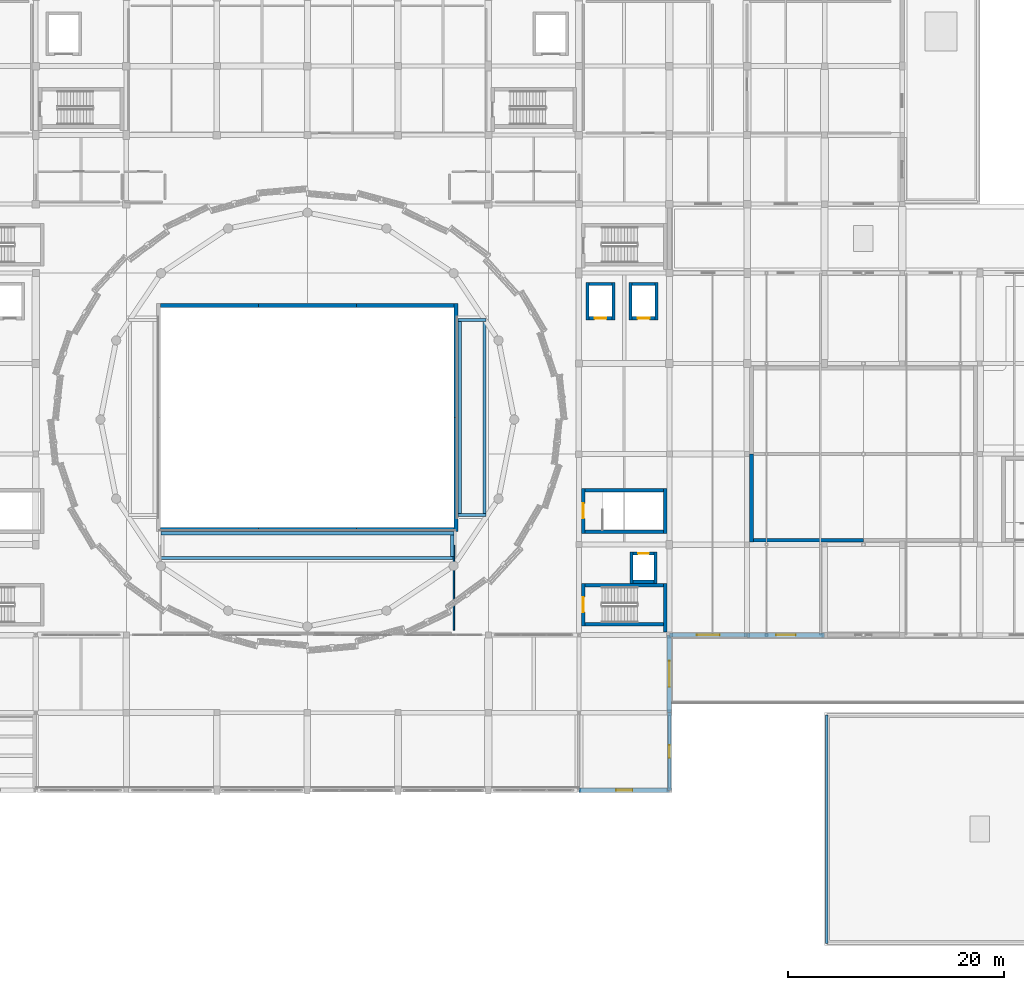
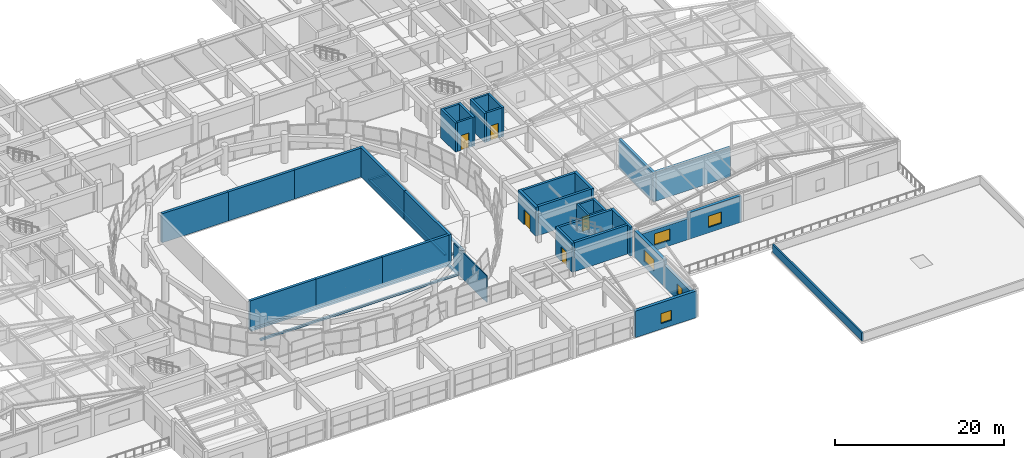
# One storey, part 56 of 74: 44 walls, 5 doors, 5 windows, 10 openings.
"""IFC4 building model written with IfcOpenShell, lengths in metres."""

import ifcopenshell
import ifcopenshell.guid

model = None  # the IFC model being written
_history = None  # IfcOwnerHistory: only IFC2X3 demands one
_inside = {}  # id of a spatial element -> (the spatial element, [elements in it])
_under = {}  # id of a project, library or spatial element -> (it, [spatial elements below it])
_declared = {}  # id of a project -> (the project, [libraries it declares])
_typed = {}  # id of a type object -> (the type object, [elements of that type])
_made_of = {}  # id of a material, layer set ... -> (it, [elements and type objects made of it])


def new_model(schema):
    """Start an empty IFC model of exactly this schema.

    Asked for "IFC4X3", IfcOpenShell would pick the latest addendum, in which some entities
    have other attributes; the version numbers below select the first issue.
    IFC2X3 requires an IfcOwnerHistory on every rooted entity: one is made here for all.
    """
    global model, _history
    if schema == "IFC4X3":
        model = ifcopenshell.file(schema_version=(4, 3, 0, 0))
    else:
        model = ifcopenshell.file(schema=schema)
    _inside.clear()
    _under.clear()
    _declared.clear()
    _typed.clear()
    _made_of.clear()
    _history = None
    if model.schema == "IFC2X3":
        org = make("IfcOrganization", Name="unknown")
        user = make(
            "IfcPersonAndOrganization",
            ThePerson=make("IfcPerson", FamilyName="unknown"),
            TheOrganization=org,
        )
        app = make(
            "IfcApplication",
            ApplicationDeveloper=org,
            Version="unknown",
            ApplicationFullName="unknown",
            ApplicationIdentifier="unknown",
        )
        _history = make(
            "IfcOwnerHistory",
            OwningUser=user,
            OwningApplication=app,
            ChangeAction="ADDED",
            CreationDate=0,
        )
    return model


def make(cls, **values):
    """One entity of the class cls with the attributes given. An attribute that is None is left unset."""
    return model.create_entity(
        cls, **{name: value for name, value in values.items() if value is not None}
    )


def rooted(cls, **values):
    """An entity with a GlobalId (a new one), such as an element, a storey or a relation."""
    return make(cls, GlobalId=ifcopenshell.guid.new(), OwnerHistory=_history, **values)


def si_unit(unit_type, name, prefix=None):
    """IfcSIUnit, for example si_unit("LENGTHUNIT", "METRE", prefix="MILLI")."""
    return make("IfcSIUnit", UnitType=unit_type, Prefix=prefix, Name=name)


def assignment(units):
    """IfcUnitAssignment: the units of a project."""
    return None if units is None else make("IfcUnitAssignment", Units=units)


def point(xyz):
    """IfcCartesianPoint."""
    return None if xyz is None else make("IfcCartesianPoint", Coordinates=xyz)


def direction(xyz):
    """IfcDirection."""
    return None if xyz is None else make("IfcDirection", DirectionRatios=xyz)


def frame(location, z_axis=None, x_axis=None):
    """IfcAxis2Placement3D, a coordinate frame: its origin and axes. An axis left out is left unset."""
    return make(
        "IfcAxis2Placement3D",
        Location=point(location),
        Axis=direction(z_axis),
        RefDirection=direction(x_axis),
    )


def frame_2d(location, x_axis=None):
    """IfcAxis2Placement2D, a coordinate frame in the plane: its origin and x axis."""
    return make(
        "IfcAxis2Placement2D", Location=point(location), RefDirection=direction(x_axis)
    )


def origin():
    """The frame at (0, 0, 0) with its axes left unset."""
    return frame((0.0, 0.0, 0.0))


def place(relative_to, where):
    """IfcLocalPlacement: puts the frame where relative to a parent placement (None: the world)."""
    return make(
        "IfcLocalPlacement", PlacementRelTo=relative_to, RelativePlacement=where
    )


def context(
    kind, dimensions, precision=None, world=None, true_north=None, identifier=None
):
    """IfcGeometricRepresentationContext, for example the 3D "Model" context."""
    return make(
        "IfcGeometricRepresentationContext",
        ContextIdentifier=identifier,
        ContextType=kind,
        CoordinateSpaceDimension=dimensions,
        Precision=precision,
        WorldCoordinateSystem=world,
        TrueNorth=true_north,
    )


def subcontext(parent, identifier, kind, view, scale=None):
    """IfcGeometricRepresentationSubContext, for example "Body" below "Model"."""
    return make(
        "IfcGeometricRepresentationSubContext",
        ContextIdentifier=identifier,
        ContextType=kind,
        ParentContext=parent,
        TargetScale=scale,
        TargetView=view,
    )


def project(units=None, contexts=None):
    """IfcProject with its units and contexts."""
    return rooted(
        "IfcProject",
        Name="project",
        RepresentationContexts=contexts,
        UnitsInContext=assignment(units),
    )


def spatial(cls, under=None, at=None, **own):
    """A site, building, storey or space (cls), placed at a placement, below another one or the project."""
    s = rooted(cls, ObjectPlacement=at, **own)
    if under is not None:
        _under.setdefault(under.id(), (under, []))[1].append(s)
    return s


def profile(cls, at=None, kind="AREA", **sizes):
    """A parametric profile (cls). Its sizes go by their IFC names, for example OverallWidth=200.0."""
    return make(cls, ProfileType=kind, Position=at, **sizes)


def rectangle(**sizes):
    """IfcRectangleProfileDef."""
    return profile("IfcRectangleProfileDef", **sizes)


def extrude(swept, where, along, depth):
    """IfcExtrudedAreaSolid: the profile swept, set in the frame where, extruded along a direction by depth."""
    return make(
        "IfcExtrudedAreaSolid",
        SweptArea=swept,
        Position=where,
        ExtrudedDirection=direction(along),
        Depth=depth,
    )


def shape(context_of_items, identifier, shape_type, items):
    """IfcShapeRepresentation: the items that make up one representation, for example the "Body"."""
    return make(
        "IfcShapeRepresentation",
        ContextOfItems=context_of_items,
        RepresentationIdentifier=identifier,
        RepresentationType=shape_type,
        Items=items,
    )


def material(Name=None, Category=None):
    """IfcMaterial."""
    return make("IfcMaterial", Name=Name, Category=Category)


def layer(
    of_material, thickness, ventilated=None, Name=None, Category=None, Priority=None
):
    """IfcMaterialLayer: one layer of a wall or slab, of a material (None: an air gap)."""
    return make(
        "IfcMaterialLayer",
        Material=of_material,
        LayerThickness=thickness,
        IsVentilated=ventilated,
        Name=Name,
        Category=Category,
        Priority=Priority,
    )


def layer_set(layers, Name=None):
    """IfcMaterialLayerSet."""
    return make("IfcMaterialLayerSet", MaterialLayers=layers, LayerSetName=Name)


def made_of(thing, what):
    """Note that an element or type object is made of a material, layer set ...; save() writes the relation."""
    if what is not None:
        _made_of.setdefault(what.id(), (what, []))[1].append(thing)
    return thing


def type_object(cls, material=None, **own):
    """A type object (cls), such as IfcWallType, which elements share."""
    return made_of(rooted(cls, **own), material)


def element(
    cls,
    number,
    at=None,
    inside=None,
    cuts=None,
    type_object=None,
    material=None,
    context=None,
    identifier="Body",
    shape_type=None,
    held_by="IfcProductDefinitionShape",
    body=None,
    shapes=None,
    **own,
):
    """One element of the class cls, such as IfcWall. Its Tag is "e" and its number.

    at: its placement. inside: the storey or other place that contains it. cuts: it is an
    opening in that element (IfcRelVoidsElement). A single representation is given by context,
    identifier, shape_type and body (its items); several are given by shapes. held_by: the class
    of the entity that holds the representations. save() writes the other relations.
    """
    e = rooted(cls, Tag="e%d" % number, ObjectPlacement=at, **own)
    if body is not None:
        shapes = [shape(context, identifier, shape_type, body)]
    if shapes is not None:
        e.Representation = make(held_by, Representations=shapes)
    if inside is not None:
        _inside.setdefault(inside.id(), (inside, []))[1].append(e)
    if cuts is not None:
        rooted(
            "IfcRelVoidsElement", RelatingBuildingElement=cuts, RelatedOpeningElement=e
        )
    if type_object is not None:
        _typed.setdefault(type_object.id(), (type_object, []))[1].append(e)
    return made_of(e, material)


def fill(opening, filler):
    """IfcRelFillsElement: the door or window that sits in an opening."""
    return rooted(
        "IfcRelFillsElement",
        RelatingOpeningElement=opening,
        RelatedBuildingElement=filler,
    )


def aggregate(whole, parts):
    """IfcRelAggregates: a whole, such as a stair, and the parts it consists of."""
    return rooted("IfcRelAggregates", RelatingObject=whole, RelatedObjects=parts)


def save(model, path):
    """Write the relations noted so far, then the file.

    IfcRelAggregates (storeys below a building ...), IfcRelContainedInSpatialStructure (elements
    in a storey), IfcRelDefinesByType, IfcRelAssociatesMaterial and IfcRelDeclares: one each for
    every whole, place, type object, material and project.
    """
    for whole, parts in _under.values():
        aggregate(whole, parts)
    for where, things in _inside.values():
        rooted(
            "IfcRelContainedInSpatialStructure",
            RelatedElements=things,
            RelatingStructure=where,
        )
    for kind, things in _typed.values():
        rooted("IfcRelDefinesByType", RelatedObjects=things, RelatingType=kind)
    for what, things in _made_of.values():
        rooted("IfcRelAssociatesMaterial", RelatedObjects=things, RelatingMaterial=what)
    for by, libraries in _declared.values():
        rooted("IfcRelDeclares", RelatingContext=by, RelatedDefinitions=libraries)
    model.write(path)


model = new_model("IFC4")

# Units and contexts
model_context = context("Model", 3, precision=1e-05, world=origin(), true_north=direction((0.0, 1.0)))
body_context = subcontext(model_context, "Body", "Model", "MODEL_VIEW")
ifc_project = project(units=[si_unit("LENGTHUNIT", "METRE"), si_unit("AREAUNIT", "SQUARE_METRE"), si_unit("VOLUMEUNIT", "CUBIC_METRE"), si_unit("PLANEANGLEUNIT", "RADIAN"), si_unit("MASSUNIT", "GRAM", prefix="KILO")], contexts=[model_context])

# Site, building, storey
site_placement = place(None, origin())
site = spatial("IfcSite", under=ifc_project, at=site_placement, CompositionType="ELEMENT")
building_placement = place(site_placement, origin())
building = spatial("IfcBuilding", under=site, at=building_placement, Name="Korsvaeld Concert Hall", CompositionType="ELEMENT")
storey_placement = place(building_placement, frame((0.0, 0.0, 9.0)))
storey = spatial("IfcBuildingStorey", under=building, at=storey_placement, Name="L02", CompositionType="ELEMENT", Elevation=9.0)

# Walls
ifc_material_1 = material(Name="Concrete C40/50", Category="concrete")
ifc_layer_1 = layer(ifc_material_1, 0.340087890625)
ifc_layer_set_1 = layer_set([ifc_layer_1], Name="Concrete C40/50")
wall_type_1 = type_object("IfcWallType", Name="WL-CORE-340", PredefinedType="SHEAR", material=ifc_layer_set_1)
wall_1_placement = place(storey_placement, frame((109.77001953125, 44.199951171875, 0.0), z_axis=(0.0, 0.0, 1.0), x_axis=(1.0, 0.0, 0.0)))
element("IfcWall", 1, at=wall_1_placement, inside=storey, type_object=wall_type_1, Name="Core K4 shear wall L02 S", PredefinedType="SHEAR", context=body_context, shape_type="SweptSolid", body=[
    extrude(rectangle(XDim=7.260009765625, YDim=0.340087890625, at=frame_2d((3.6298828125, 0.0))), origin(), (0.0, 0.0, 1.0), 4.199951171875),
])
wall_2_placement = place(storey_placement, frame((117.199951171875, 43.47509765625, 0.0), z_axis=(0.0, 0.0, 1.0), x_axis=(0.0, 1.0, 0.0)))
element("IfcWall", 2, at=wall_2_placement, inside=storey, type_object=wall_type_1, Name="Core K4 shear wall L02 E", PredefinedType="SHEAR", context=body_context, shape_type="SweptSolid", body=[
    extrude(rectangle(XDim=4.534912109375, YDim=0.340087890625, at=frame_2d((2.267578125, 0.0))), origin(), (0.0, 0.0, 1.0), 4.199951171875),
])
wall_3_placement = place(storey_placement, frame((117.030029296875, 47.840087890625, 0.0), z_axis=(0.0, 0.0, 1.0), x_axis=(-1.0, 0.0, 0.0)))
element("IfcWall", 3, at=wall_3_placement, inside=storey, type_object=wall_type_1, Name="Core K4 shear wall L02 N", PredefinedType="SHEAR", context=body_context, shape_type="SweptSolid", body=[
    extrude(rectangle(XDim=7.260009765625, YDim=0.340087890625, at=frame_2d((3.6298828125, 0.0))), origin(), (0.0, 0.0, 1.0), 4.199951171875),
])

# Wall, opening, door
wall_4_placement = place(storey_placement, frame((109.60009765625, 48.010009765625, 0.0), z_axis=(0.0, 0.0, 1.0), x_axis=(0.0, -1.0, 0.0)))
wall_4 = element("IfcWall", 4, at=wall_4_placement, inside=storey, type_object=wall_type_1, Name="Core K4 shear wall L02 W", PredefinedType="SHEAR", context=body_context, shape_type="SweptSolid", body=[
    extrude(rectangle(XDim=3.97998046875, YDim=0.340087890625, at=frame_2d((1.989990234375, 0.0))), origin(), (0.0, 0.0, 1.0), 4.199951171875),
])
opening_1_placement = place(wall_4_placement, frame((1.2900390625, 0.0, 0.0)))
opening_1 = element("IfcOpeningElement", 5, at=opening_1_placement, cuts=wall_4, Name="Opening FD-02", PredefinedType="OPENING", context=body_context, shape_type="SweptSolid", body=[
    extrude(rectangle(XDim=1.39990234375, YDim=2.14990234375, at=frame_2d((0.699951171875, 1.074951171875))), frame((0.0, 0.18017578125, 0.0), z_axis=(0.0, -1.0, 0.0), x_axis=(1.0, 0.0, 0.0)), (0.0, 0.0, 1.0), 0.360107421875),
])
ifc_material_2 = material(Name="Acoustic steel and oak fire door", Category="steel")
door_type_1 = type_object("IfcDoorType", Name="DR-FD-STAIR-140x215", OperationType="NOTDEFINED", PredefinedType="DOOR", material=ifc_material_2)
door_1_placement = place(opening_1_placement, origin())
door_1 = element("IfcDoor", 6, at=door_1_placement, inside=storey, type_object=door_type_1, Name="Escape stair ST-K4 fire door L02", OperationType="SINGLE_SWING_LEFT", OverallHeight=2.14990234375, OverallWidth=1.39990234375, PredefinedType="DOOR", context=body_context, shape_type="SweptSolid", body=[
    extrude(rectangle(XDim=1.39990234375, YDim=2.14990234375, at=frame_2d((0.699951171875, 1.074951171875))), frame((0.0, 0.02490234375, 0.0), z_axis=(0.0, -1.0, 0.0), x_axis=(1.0, 0.0, 0.0)), (0.0, 0.0, 1.0), 0.050048828125),
])
fill(opening_1, door_1)

# Walls
wall_5_placement = place(storey_placement, frame((109.77001953125, 52.800048828125, 0.0), z_axis=(0.0, 0.0, 1.0), x_axis=(1.0, 0.0, 0.0)))
element("IfcWall", 7, at=wall_5_placement, inside=storey, type_object=wall_type_1, Name="Core F2 shear wall L02 S", PredefinedType="SHEAR", context=body_context, shape_type="SweptSolid", body=[
    extrude(rectangle(XDim=7.260009765625, YDim=0.340087890625, at=frame_2d((3.6298828125, 0.0))), origin(), (0.0, 0.0, 1.0), 4.199951171875),
])
wall_6_placement = place(storey_placement, frame((117.199951171875, 52.6298828125, 0.0), z_axis=(0.0, 0.0, 1.0), x_axis=(0.0, 1.0, 0.0)))
element("IfcWall", 8, at=wall_6_placement, inside=storey, type_object=wall_type_1, Name="Core F2 shear wall L02 E", PredefinedType="SHEAR", context=body_context, shape_type="SweptSolid", body=[
    extrude(rectangle(XDim=4.18017578125, YDim=0.340087890625, at=frame_2d((2.090087890625, 0.0))), origin(), (0.0, 0.0, 1.0), 4.199951171875),
])
wall_7_placement = place(storey_placement, frame((117.030029296875, 56.639892578125, 0.0), z_axis=(0.0, 0.0, 1.0), x_axis=(-1.0, 0.0, 0.0)))
element("IfcWall", 9, at=wall_7_placement, inside=storey, type_object=wall_type_1, Name="Core F2 shear wall L02 N", PredefinedType="SHEAR", context=body_context, shape_type="SweptSolid", body=[
    extrude(rectangle(XDim=7.260009765625, YDim=0.340087890625, at=frame_2d((3.6298828125, 0.0))), origin(), (0.0, 0.0, 1.0), 4.199951171875),
])

# Wall, opening, door
wall_8_placement = place(storey_placement, frame((109.60009765625, 56.81005859375, 0.0), z_axis=(0.0, 0.0, 1.0), x_axis=(0.0, -1.0, 0.0)))
wall_8 = element("IfcWall", 10, at=wall_8_placement, inside=storey, type_object=wall_type_1, Name="Core F2 shear wall L02 W", PredefinedType="SHEAR", context=body_context, shape_type="SweptSolid", body=[
    extrude(rectangle(XDim=4.18017578125, YDim=0.340087890625, at=frame_2d((2.090087890625, 0.0))), origin(), (0.0, 0.0, 1.0), 4.199951171875),
])
opening_2_placement = place(wall_8_placement, frame((1.389892578125, 0.0, 0.0)))
opening_2 = element("IfcOpeningElement", 11, at=opening_2_placement, cuts=wall_8, Name="Opening FD-02", PredefinedType="OPENING", context=body_context, shape_type="SweptSolid", body=[
    extrude(rectangle(XDim=1.39990234375, YDim=2.14990234375, at=frame_2d((0.699951171875, 1.074951171875))), frame((0.0, 0.18017578125, 0.0), z_axis=(0.0, -1.0, 0.0), x_axis=(1.0, 0.0, 0.0)), (0.0, 0.0, 1.0), 0.360107421875),
])
door_2_placement = place(opening_2_placement, origin())
door_2 = element("IfcDoor", 12, at=door_2_placement, inside=storey, type_object=door_type_1, Name="Escape stair ST-F2 fire door L02", OperationType="SINGLE_SWING_RIGHT", OverallHeight=2.14990234375, OverallWidth=1.39990234375, PredefinedType="DOOR", context=body_context, shape_type="SweptSolid", body=[
    extrude(rectangle(XDim=1.39990234375, YDim=2.14990234375, at=frame_2d((0.699951171875, 1.074951171875))), frame((0.0, 0.02490234375, 0.0), z_axis=(0.0, -1.0, 0.0), x_axis=(1.0, 0.0, 0.0)), (0.0, 0.0, 1.0), 0.050048828125),
])
fill(opening_2, door_2)

# Wall, opening, window
ifc_material_3 = material(Name="Obernkirchener buff sandstone rainscreen on Concrete C35/45", Category="masonry")
ifc_layer_2 = layer(ifc_material_3, 0.389892578125)
ifc_layer_set_2 = layer_set([ifc_layer_2], Name="Obernkirchener buff sandstone rainscreen on Concrete C35/45")
wall_type_2 = type_object("IfcWallType", Name="WL-EXT-BUFF-390", PredefinedType="STANDARD", material=ifc_layer_set_2)
wall_9_placement = place(storey_placement, frame((124.800048828125, 43.199951171875, 0.0), z_axis=(0.0, 0.0, 1.0), x_axis=(-1.0, 0.0, 0.0)))
wall_9 = element("IfcWall", 13, at=wall_9_placement, inside=storey, type_object=wall_type_2, Name="Exterior sandstone wall L02-278", PredefinedType="STANDARD", context=body_context, shape_type="SweptSolid", body=[
    extrude(rectangle(XDim=7.199951171875, YDim=0.389892578125, at=frame_2d((3.60009765625, 0.0))), origin(), (0.0, 0.0, 1.0), 3.0400390625),
])
opening_3_placement = place(wall_9_placement, frame((2.550048828125, 0.0, 0.800048828125)))
opening_3 = element("IfcOpeningElement", 14, at=opening_3_placement, cuts=wall_9, Name="Opening WN-04", PredefinedType="OPENING", context=body_context, shape_type="SweptSolid", body=[
    extrude(rectangle(XDim=2.10009765625, YDim=1.64990234375, at=frame_2d((1.050048828125, 0.824951171875))), frame((0.0, 0.205078125, 0.0), z_axis=(0.0, -1.0, 0.0), x_axis=(1.0, 0.0, 0.0)), (0.0, 0.0, 1.0), 0.409912109375),
])
ifc_material_4 = material(Name="Anodised bronze frame with acoustic triple glazing", Category="glass")
window_type_1 = type_object("IfcWindowType", Name="WIN-AC-210x165", PartitioningType="SINGLE_PANEL", PredefinedType="WINDOW", material=ifc_material_4)
window_1_placement = place(opening_3_placement, origin())
window_1 = element("IfcWindow", 15, at=window_1_placement, inside=storey, type_object=window_type_1, Name="Acoustic triple-glazed window L02-179", OverallHeight=1.64990234375, OverallWidth=2.10009765625, PartitioningType="SINGLE_PANEL", PredefinedType="WINDOW", context=body_context, shape_type="SweptSolid", body=[
    extrude(rectangle(XDim=2.10009765625, YDim=1.64990234375, at=frame_2d((1.050048828125, 0.824951171875))), frame((0.0, 0.030029296875, 0.0), z_axis=(0.0, -1.0, 0.0), x_axis=(1.0, 0.0, 0.0)), (0.0, 0.0, 1.0), 0.06005859375),
])
fill(opening_3, window_1)

wall_10_placement = place(storey_placement, frame((117.60009765625, 36.0, 0.0), z_axis=(0.0, 0.0, 1.0), x_axis=(0.0, -1.0, 0.0)))
wall_10 = element("IfcWall", 16, at=wall_10_placement, inside=storey, type_object=wall_type_2, Name="Exterior sandstone wall L02-280", PredefinedType="STANDARD", context=body_context, shape_type="SweptSolid", body=[
    extrude(rectangle(XDim=7.199951171875, YDim=0.389892578125, at=frame_2d((3.60009765625, 0.0))), origin(), (0.0, 0.0, 1.0), 3.139892578125),
])
opening_4_placement = place(wall_10_placement, frame((3.0, 0.0, 0.800048828125)))
opening_4 = element("IfcOpeningElement", 17, at=opening_4_placement, cuts=wall_10, Name="Opening WN-06", PredefinedType="OPENING", context=body_context, shape_type="SweptSolid", body=[
    extrude(rectangle(XDim=1.199951171875, YDim=1.449951171875, at=frame_2d((0.60009765625, 0.72509765625))), frame((0.0, 0.205078125, 0.0), z_axis=(0.0, -1.0, 0.0), x_axis=(1.0, 0.0, 0.0)), (0.0, 0.0, 1.0), 0.409912109375),
])
window_type_2 = type_object("IfcWindowType", Name="WIN-AC-120x145", PartitioningType="SINGLE_PANEL", PredefinedType="WINDOW", material=ifc_material_4)
window_2_placement = place(opening_4_placement, origin())
window_2 = element("IfcWindow", 18, at=window_2_placement, inside=storey, type_object=window_type_2, Name="Acoustic triple-glazed window L02-181", OverallHeight=1.449951171875, OverallWidth=1.199951171875, PartitioningType="SINGLE_PANEL", PredefinedType="WINDOW", context=body_context, shape_type="SweptSolid", body=[
    extrude(rectangle(XDim=1.199951171875, YDim=1.449951171875, at=frame_2d((0.60009765625, 0.72509765625))), frame((0.0, 0.030029296875, 0.0), z_axis=(0.0, -1.0, 0.0), x_axis=(1.0, 0.0, 0.0)), (0.0, 0.0, 1.0), 0.06005859375),
])
fill(opening_4, window_2)

ifc_material_5 = material(Name="Bornholm Nexo rose-red sandstone rainscreen on Concrete C35/45", Category="masonry")
ifc_layer_3 = layer(ifc_material_5, 0.419921875)
ifc_layer_set_3 = layer_set([ifc_layer_3], Name="Bornholm Nexo rose-red sandstone rainscreen on Concrete C35/45")
wall_type_3 = type_object("IfcWallType", Name="WL-EXT-NEXO-420", PredefinedType="STANDARD", material=ifc_layer_set_3)
wall_11_placement = place(storey_placement, frame((132.0, 43.199951171875, 0.0), z_axis=(0.0, 0.0, 1.0), x_axis=(-1.0, 0.0, 0.0)))
wall_11 = element("IfcWall", 19, at=wall_11_placement, inside=storey, type_object=wall_type_3, Name="Exterior sandstone wall L02-277", PredefinedType="STANDARD", context=body_context, shape_type="SweptSolid", body=[
    extrude(rectangle(XDim=7.199951171875, YDim=0.419921875, at=frame_2d((3.60009765625, 0.0))), origin(), (0.0, 0.0, 1.0), 3.840087890625),
])
opening_5_placement = place(wall_11_placement, frame((2.699951171875, 0.0, 0.800048828125)))
opening_5 = element("IfcOpeningElement", 20, at=opening_5_placement, cuts=wall_11, Name="Opening WN-03", PredefinedType="OPENING", context=body_context, shape_type="SweptSolid", body=[
    extrude(rectangle(XDim=1.800048828125, YDim=1.64990234375, at=frame_2d((0.89990234375, 0.824951171875))), frame((0.0, 0.219970703125, 0.0), z_axis=(0.0, -1.0, 0.0), x_axis=(1.0, 0.0, 0.0)), (0.0, 0.0, 1.0), 0.43994140625),
])
window_type_3 = type_object("IfcWindowType", Name="WIN-AC-180x165", PartitioningType="SINGLE_PANEL", PredefinedType="WINDOW", material=ifc_material_4)
window_3_placement = place(opening_5_placement, origin())
window_3 = element("IfcWindow", 21, at=window_3_placement, inside=storey, type_object=window_type_3, Name="Acoustic triple-glazed window L02-178", OverallHeight=1.64990234375, OverallWidth=1.800048828125, PartitioningType="SINGLE_PANEL", PredefinedType="WINDOW", context=body_context, shape_type="SweptSolid", body=[
    extrude(rectangle(XDim=1.800048828125, YDim=1.64990234375, at=frame_2d((0.89990234375, 0.824951171875))), frame((0.0, 0.030029296875, 0.0), z_axis=(0.0, -1.0, 0.0), x_axis=(1.0, 0.0, 0.0)), (0.0, 0.0, 1.0), 0.06005859375),
])
fill(opening_5, window_3)

wall_12_placement = place(storey_placement, frame((117.60009765625, 43.199951171875, 0.0), z_axis=(0.0, 0.0, 1.0), x_axis=(0.0, -1.0, 0.0)))
wall_12 = element("IfcWall", 22, at=wall_12_placement, inside=storey, type_object=wall_type_3, Name="Exterior sandstone wall L02-279", PredefinedType="STANDARD", context=body_context, shape_type="SweptSolid", body=[
    extrude(rectangle(XDim=7.199951171875, YDim=0.419921875, at=frame_2d((3.60009765625, 0.0))), origin(), (0.0, 0.0, 1.0), 3.840087890625),
])
opening_6_placement = place(wall_12_placement, frame((2.39990234375, 0.0, 0.800048828125)))
opening_6 = element("IfcOpeningElement", 23, at=opening_6_placement, cuts=wall_12, Name="Opening WN-05", PredefinedType="OPENING", context=body_context, shape_type="SweptSolid", body=[
    extrude(rectangle(XDim=2.39990234375, YDim=1.64990234375, at=frame_2d((1.199951171875, 0.824951171875))), frame((0.0, 0.219970703125, 0.0), z_axis=(0.0, -1.0, 0.0), x_axis=(1.0, 0.0, 0.0)), (0.0, 0.0, 1.0), 0.43994140625),
])
window_type_4 = type_object("IfcWindowType", Name="WIN-AC-240x165", PartitioningType="TRIPLE_PANEL_VERTICAL", PredefinedType="WINDOW", material=ifc_material_4)
window_4_placement = place(opening_6_placement, origin())
window_4 = element("IfcWindow", 24, at=window_4_placement, inside=storey, type_object=window_type_4, Name="Acoustic triple-glazed window L02-180", OverallHeight=1.64990234375, OverallWidth=2.39990234375, PartitioningType="TRIPLE_PANEL_VERTICAL", PredefinedType="WINDOW", context=body_context, shape_type="SweptSolid", body=[
    extrude(rectangle(XDim=2.39990234375, YDim=1.64990234375, at=frame_2d((1.199951171875, 0.824951171875))), frame((0.0, 0.030029296875, 0.0), z_axis=(0.0, -1.0, 0.0), x_axis=(1.0, 0.0, 0.0)), (0.0, 0.0, 1.0), 0.06005859375),
])
fill(opening_6, window_4)

wall_13_placement = place(storey_placement, frame((117.60009765625, 28.800048828125, 0.0), z_axis=(0.0, 0.0, 1.0), x_axis=(-1.0, 0.0, 0.0)))
wall_13 = element("IfcWall", 25, at=wall_13_placement, inside=storey, type_object=wall_type_3, Name="Exterior sandstone wall L02-281", PredefinedType="STANDARD", context=body_context, shape_type="SweptSolid", body=[
    extrude(rectangle(XDim=8.400146484375, YDim=0.419921875, at=frame_2d((4.2001953125, 0.0))), origin(), (0.0, 0.0, 1.0), 3.840087890625),
])
opening_7_placement = place(wall_13_placement, frame((3.449951171875, 0.0, 0.800048828125)))
opening_7 = element("IfcOpeningElement", 26, at=opening_7_placement, cuts=wall_13, Name="Opening WN-07", PredefinedType="OPENING", context=body_context, shape_type="SweptSolid", body=[
    extrude(rectangle(XDim=1.5, YDim=1.449951171875, at=frame_2d((0.75, 0.72509765625))), frame((0.0, 0.219970703125, 0.0), z_axis=(0.0, -1.0, 0.0), x_axis=(1.0, 0.0, 0.0)), (0.0, 0.0, 1.0), 0.43994140625),
])
window_type_5 = type_object("IfcWindowType", Name="WIN-AC-150x145", PartitioningType="SINGLE_PANEL", PredefinedType="WINDOW", material=ifc_material_4)
window_5_placement = place(opening_7_placement, origin())
window_5 = element("IfcWindow", 27, at=window_5_placement, inside=storey, type_object=window_type_5, Name="Acoustic triple-glazed window L02-182", OverallHeight=1.449951171875, OverallWidth=1.5, PartitioningType="SINGLE_PANEL", PredefinedType="WINDOW", context=body_context, shape_type="SweptSolid", body=[
    extrude(rectangle(XDim=1.5, YDim=1.449951171875, at=frame_2d((0.75, 0.72509765625))), frame((0.0, 0.030029296875, 0.0), z_axis=(0.0, -1.0, 0.0), x_axis=(1.0, 0.0, 0.0)), (0.0, 0.0, 1.0), 0.06005859375),
])
fill(opening_7, window_5)

# Walls
ifc_material_6 = material(Name="Bornholm Nexo crimson sandstone on Concrete C40/50", Category="masonry")
ifc_layer_4 = layer(ifc_material_6, 0.360107421875)
ifc_layer_set_4 = layer_set([ifc_layer_4], Name="Bornholm Nexo crimson sandstone on Concrete C40/50")
wall_type_4 = type_object("IfcWallType", Name="WL-HALL-360", PredefinedType="SHEAR", material=ifc_layer_set_4)
for number, where, z_axis, x_axis, name in (
    (28, (70.3798828125, 53.0, 0.0), (0.0, 0.0, 1.0), (1.0, 0.0, 0.0), "Acoustic hall box wall V1H L02 S.1"),
    (29, (79.4599609375, 53.0, 0.0), (0.0, 0.0, 1.0), (1.0, 0.0, 0.0), "Acoustic hall box wall V1H L02 S.2"),
    (30, (88.5400390625, 53.0, 0.0), (0.0, 0.0, 1.0), (1.0, 0.0, 0.0), "Acoustic hall box wall V1H L02 S.3"),
):
    element("IfcWall", number, at=place(storey_placement, frame(where, z_axis=z_axis, x_axis=x_axis)), inside=storey, type_object=wall_type_4, Name=name, PredefinedType="SHEAR", context=body_context, shape_type="SweptSolid", body=[
        extrude(rectangle(XDim=9.080078125, YDim=0.360107421875, at=frame_2d((4.5400390625, 0.0))), origin(), (0.0, 0.0, 1.0), 4.199951171875),
    ])
wall_14_placement = place(storey_placement, frame((97.800048828125, 52.820068359375, 0.0), z_axis=(0.0, 0.0, 1.0), x_axis=(0.0, 1.0, 0.0)))
element("IfcWall", 31, at=wall_14_placement, inside=storey, type_object=wall_type_4, Name="Acoustic hall box wall V1H L02 E.1", PredefinedType="SHEAR", context=body_context, shape_type="SweptSolid", body=[
    extrude(rectangle(XDim=10.579833984375, YDim=0.360107421875, at=frame_2d((5.2900390625, 0.0))), origin(), (0.0, 0.0, 1.0), 4.199951171875),
])
wall_15_placement = place(storey_placement, frame((97.800048828125, 63.39990234375, 0.0), z_axis=(0.0, 0.0, 1.0), x_axis=(0.0, 1.0, 0.0)))
element("IfcWall", 32, at=wall_15_placement, inside=storey, type_object=wall_type_4, Name="Acoustic hall box wall V1H L02 E.2", PredefinedType="SHEAR", context=body_context, shape_type="SweptSolid", body=[
    extrude(rectangle(XDim=10.580078125, YDim=0.360107421875, at=frame_2d((5.2900390625, 0.0))), origin(), (0.0, 0.0, 1.0), 4.199951171875),
])
for number, where, z_axis, x_axis, name in (
    (33, (97.6201171875, 73.800048828125, 0.0), (0.0, 0.0, 1.0), (-1.0, 0.0, 0.0), "Acoustic hall box wall V1H L02 N.1"),
    (34, (88.5400390625, 73.800048828125, 0.0), (0.0, 0.0, 1.0), (-1.0, 0.0, 0.0), "Acoustic hall box wall V1H L02 N.2"),
    (35, (79.4599609375, 73.800048828125, 0.0), (0.0, 0.0, 1.0), (-1.0, 0.0, 0.0), "Acoustic hall box wall V1H L02 N.3"),
):
    element("IfcWall", number, at=place(storey_placement, frame(where, z_axis=z_axis, x_axis=x_axis)), inside=storey, type_object=wall_type_4, Name=name, PredefinedType="SHEAR", context=body_context, shape_type="SweptSolid", body=[
        extrude(rectangle(XDim=9.080078125, YDim=0.360107421875, at=frame_2d((4.5400390625, 0.0))), origin(), (0.0, 0.0, 1.0), 4.199951171875),
    ])
wall_16_placement = place(storey_placement, frame((125.3798828125, 52.0, 0.0), z_axis=(0.0, 0.0, 1.0), x_axis=(1.0, 0.0, 0.0)))
element("IfcWall", 36, at=wall_16_placement, inside=storey, type_object=wall_type_4, Name="Acoustic hall box wall V2H L02 S.1", PredefinedType="SHEAR", context=body_context, shape_type="SweptSolid", body=[
    extrude(rectangle(XDim=10.22021484375, YDim=0.360107421875, at=frame_2d((5.110107421875, 0.0))), origin(), (0.0, 0.0, 1.0), 4.199951171875),
])
wall_17_placement = place(storey_placement, frame((125.199951171875, 60.0, 0.0), z_axis=(0.0, 0.0, 1.0), x_axis=(0.0, -1.0, 0.0)))
element("IfcWall", 37, at=wall_17_placement, inside=storey, type_object=wall_type_4, Name="Acoustic hall box wall V2H L02 W.2", PredefinedType="SHEAR", context=body_context, shape_type="SweptSolid", body=[
    extrude(rectangle(XDim=8.179931640625, YDim=0.360107421875, at=frame_2d((4.08984375, 0.0))), origin(), (0.0, 0.0, 1.0), 4.199951171875),
])
ifc_material_7 = material(Name="Bornholm Nexo sandstone parapet on Concrete C35/45", Category="masonry")
ifc_layer_5 = layer(ifc_material_7, 0.239990234375)
ifc_layer_set_5 = layer_set([ifc_layer_5], Name="Bornholm Nexo sandstone parapet on Concrete C35/45")
wall_type_5 = type_object("IfcWallType", Name="WL-PARAPET-240", PredefinedType="PARAPET", material=ifc_layer_set_5)
wall_18_placement = place(storey_placement, frame((132.199951171875, 35.800048828125, 0.0), z_axis=(0.0, 0.0, 1.0), x_axis=(0.0, -1.0, 0.0)))
element("IfcWall", 38, at=wall_18_placement, inside=storey, type_object=wall_type_5, Name="Roof parapet SLB-ROOF_L02_SE-4", PredefinedType="PARAPET", context=body_context, shape_type="SweptSolid", body=[
    extrude(rectangle(XDim=21.199951171875, YDim=0.239990234375, at=frame_2d((10.60009765625, 0.0))), origin(), (0.0, 0.0, 1.0), 1.14990234375),
])
ifc_material_8 = material(Name="Insulated acoustic gypsum partition")
ifc_layer_6 = layer(ifc_material_8, 0.125)
ifc_layer_set_6 = layer_set([ifc_layer_6], Name="Insulated acoustic gypsum partition")
wall_type_6 = type_object("IfcWallType", Name="WL-PART-125", PredefinedType="PARTITIONING", material=ifc_layer_set_6)
wall_19_placement = place(storey_placement, frame((97.60009765625, 43.659912109375, 0.0), z_axis=(0.0, 0.0, 1.0), x_axis=(0.0, 1.0, 0.0)))
element("IfcWall", 39, at=wall_19_placement, inside=storey, type_object=wall_type_6, Name="Interior partition L02-04 E", PredefinedType="PARTITIONING", context=body_context, shape_type="SweptSolid", body=[
    extrude(rectangle(XDim=7.880126953125, YDim=0.125, at=frame_2d((3.93994140625, 0.0))), origin(), (0.0, 0.0, 1.0), 3.840087890625),
])

# Wall, opening, door
ifc_layer_7 = layer(ifc_material_1, 0.280029296875)
ifc_layer_set_7 = layer_set([ifc_layer_7], Name="Concrete C40/50")
wall_type_7 = type_object("IfcWallType", Name="WL-SHAFT-280", PredefinedType="SHEAR", material=ifc_layer_set_7)
wall_20_placement = place(storey_placement, frame((110.139892578125, 72.60009765625, 0.0), z_axis=(0.0, 0.0, 1.0), x_axis=(1.0, 0.0, 0.0)))
wall_20 = element("IfcWall", 40, at=wall_20_placement, inside=storey, type_object=wall_type_7, Name="Lift LP-03 shaft wall L02 S", PredefinedType="SHEAR", context=body_context, shape_type="SweptSolid", body=[
    extrude(rectangle(XDim=2.1201171875, YDim=0.280029296875, at=frame_2d((1.06005859375, 0.0))), origin(), (0.0, 0.0, 1.0), 4.199951171875),
])
opening_8_placement = place(wall_20_placement, frame((0.510009765625, 0.0, 0.0)))
opening_8 = element("IfcOpeningElement", 41, at=opening_8_placement, cuts=wall_20, Name="Opening LD-01", PredefinedType="OPENING", context=body_context, shape_type="SweptSolid", body=[
    extrude(rectangle(XDim=1.10009765625, YDim=2.14990234375, at=frame_2d((0.550048828125, 1.074951171875))), frame((0.0, 0.14990234375, 0.0), z_axis=(0.0, -1.0, 0.0), x_axis=(1.0, 0.0, 0.0)), (0.0, 0.0, 1.0), 0.300048828125),
])
ifc_material_9 = material(Name="Brushed bronze-stainless sliding lift landing door")
door_type_2 = type_object("IfcDoorType", Name="DR-LD-PASS-110x215", OperationType="NOTDEFINED", PredefinedType="DOOR", material=ifc_material_9)
door_3_placement = place(opening_8_placement, origin())
door_3 = element("IfcDoor", 42, at=door_3_placement, inside=storey, type_object=door_type_2, Name="Lift landing door LP-03 L02", OperationType="SLIDING_TO_LEFT", OverallHeight=2.14990234375, OverallWidth=1.10009765625, PredefinedType="DOOR", context=body_context, shape_type="SweptSolid", body=[
    extrude(rectangle(XDim=1.10009765625, YDim=2.14990234375, at=frame_2d((0.550048828125, 1.074951171875))), frame((0.0, 0.02490234375, 0.0), z_axis=(0.0, -1.0, 0.0), x_axis=(1.0, 0.0, 0.0)), (0.0, 0.0, 1.0), 0.050048828125),
])
fill(opening_8, door_3)

# Walls
wall_21_placement = place(storey_placement, frame((112.39990234375, 72.4599609375, 0.0), z_axis=(0.0, 0.0, 1.0), x_axis=(0.0, 1.0, 0.0)))
element("IfcWall", 43, at=wall_21_placement, inside=storey, type_object=wall_type_7, Name="Lift LP-03 shaft wall L02 E", PredefinedType="SHEAR", context=body_context, shape_type="SweptSolid", body=[
    extrude(rectangle(XDim=3.47998046875, YDim=0.280029296875, at=frame_2d((1.739990234375, 0.0))), origin(), (0.0, 0.0, 1.0), 4.199951171875),
])
wall_22_placement = place(storey_placement, frame((112.260009765625, 75.800048828125, 0.0), z_axis=(0.0, 0.0, 1.0), x_axis=(-1.0, 0.0, 0.0)))
element("IfcWall", 44, at=wall_22_placement, inside=storey, type_object=wall_type_7, Name="Lift LP-03 shaft wall L02 N", PredefinedType="SHEAR", context=body_context, shape_type="SweptSolid", body=[
    extrude(rectangle(XDim=2.1201171875, YDim=0.280029296875, at=frame_2d((1.06005859375, 0.0))), origin(), (0.0, 0.0, 1.0), 4.199951171875),
])
wall_23_placement = place(storey_placement, frame((110.0, 75.93994140625, 0.0), z_axis=(0.0, 0.0, 1.0), x_axis=(0.0, -1.0, 0.0)))
element("IfcWall", 45, at=wall_23_placement, inside=storey, type_object=wall_type_7, Name="Lift LP-03 shaft wall L02 W", PredefinedType="SHEAR", context=body_context, shape_type="SweptSolid", body=[
    extrude(rectangle(XDim=3.47998046875, YDim=0.280029296875, at=frame_2d((1.739990234375, 0.0))), origin(), (0.0, 0.0, 1.0), 4.199951171875),
])

# Wall, opening, door
wall_24_placement = place(storey_placement, frame((114.139892578125, 72.60009765625, 0.0), z_axis=(0.0, 0.0, 1.0), x_axis=(1.0, 0.0, 0.0)))
wall_24 = element("IfcWall", 46, at=wall_24_placement, inside=storey, type_object=wall_type_7, Name="Lift LP-04 shaft wall L02 S", PredefinedType="SHEAR", context=body_context, shape_type="SweptSolid", body=[
    extrude(rectangle(XDim=2.1201171875, YDim=0.280029296875, at=frame_2d((1.06005859375, 0.0))), origin(), (0.0, 0.0, 1.0), 4.199951171875),
])
opening_9_placement = place(wall_24_placement, frame((0.510009765625, 0.0, 0.0)))
opening_9 = element("IfcOpeningElement", 47, at=opening_9_placement, cuts=wall_24, Name="Opening LD-01", PredefinedType="OPENING", context=body_context, shape_type="SweptSolid", body=[
    extrude(rectangle(XDim=1.10009765625, YDim=2.14990234375, at=frame_2d((0.550048828125, 1.074951171875))), frame((0.0, 0.14990234375, 0.0), z_axis=(0.0, -1.0, 0.0), x_axis=(1.0, 0.0, 0.0)), (0.0, 0.0, 1.0), 0.300048828125),
])
door_4_placement = place(opening_9_placement, origin())
door_4 = element("IfcDoor", 48, at=door_4_placement, inside=storey, type_object=door_type_2, Name="Lift landing door LP-04 L02", OperationType="SLIDING_TO_RIGHT", OverallHeight=2.14990234375, OverallWidth=1.10009765625, PredefinedType="DOOR", context=body_context, shape_type="SweptSolid", body=[
    extrude(rectangle(XDim=1.10009765625, YDim=2.14990234375, at=frame_2d((0.550048828125, 1.074951171875))), frame((0.0, 0.02490234375, 0.0), z_axis=(0.0, -1.0, 0.0), x_axis=(1.0, 0.0, 0.0)), (0.0, 0.0, 1.0), 0.050048828125),
])
fill(opening_9, door_4)

# Walls
wall_25_placement = place(storey_placement, frame((116.39990234375, 72.4599609375, 0.0), z_axis=(0.0, 0.0, 1.0), x_axis=(0.0, 1.0, 0.0)))
element("IfcWall", 49, at=wall_25_placement, inside=storey, type_object=wall_type_7, Name="Lift LP-04 shaft wall L02 E", PredefinedType="SHEAR", context=body_context, shape_type="SweptSolid", body=[
    extrude(rectangle(XDim=3.47998046875, YDim=0.280029296875, at=frame_2d((1.739990234375, 0.0))), origin(), (0.0, 0.0, 1.0), 4.199951171875),
])
wall_26_placement = place(storey_placement, frame((116.260009765625, 75.800048828125, 0.0), z_axis=(0.0, 0.0, 1.0), x_axis=(-1.0, 0.0, 0.0)))
element("IfcWall", 50, at=wall_26_placement, inside=storey, type_object=wall_type_7, Name="Lift LP-04 shaft wall L02 N", PredefinedType="SHEAR", context=body_context, shape_type="SweptSolid", body=[
    extrude(rectangle(XDim=2.1201171875, YDim=0.280029296875, at=frame_2d((1.06005859375, 0.0))), origin(), (0.0, 0.0, 1.0), 4.199951171875),
])
wall_27_placement = place(storey_placement, frame((114.0, 75.93994140625, 0.0), z_axis=(0.0, 0.0, 1.0), x_axis=(0.0, -1.0, 0.0)))
element("IfcWall", 51, at=wall_27_placement, inside=storey, type_object=wall_type_7, Name="Lift LP-04 shaft wall L02 W", PredefinedType="SHEAR", context=body_context, shape_type="SweptSolid", body=[
    extrude(rectangle(XDim=3.47998046875, YDim=0.280029296875, at=frame_2d((1.739990234375, 0.0))), origin(), (0.0, 0.0, 1.0), 4.199951171875),
])
wall_28_placement = place(storey_placement, frame((114.239990234375, 48.14990234375, 0.0), z_axis=(0.0, 0.0, 1.0), x_axis=(1.0, 0.0, 0.0)))
element("IfcWall", 52, at=wall_28_placement, inside=storey, type_object=wall_type_7, Name="Lift LP-06 shaft wall L02 S", PredefinedType="SHEAR", context=body_context, shape_type="SweptSolid", body=[
    extrude(rectangle(XDim=1.919921875, YDim=0.280029296875, at=frame_2d((0.9599609375, 0.0))), origin(), (0.0, 0.0, 1.0), 4.199951171875),
])
wall_29_placement = place(storey_placement, frame((116.300048828125, 48.010009765625, 0.0), z_axis=(0.0, 0.0, 1.0), x_axis=(0.0, 1.0, 0.0)))
element("IfcWall", 53, at=wall_29_placement, inside=storey, type_object=wall_type_7, Name="Lift LP-06 shaft wall L02 E", PredefinedType="SHEAR", context=body_context, shape_type="SweptSolid", body=[
    extrude(rectangle(XDim=2.8798828125, YDim=0.280029296875, at=frame_2d((1.43994140625, 0.0))), origin(), (0.0, 0.0, 1.0), 4.199951171875),
])

# Wall, opening, door
wall_30_placement = place(storey_placement, frame((116.159912109375, 50.75, 0.0), z_axis=(0.0, 0.0, 1.0), x_axis=(-1.0, 0.0, 0.0)))
wall_30 = element("IfcWall", 54, at=wall_30_placement, inside=storey, type_object=wall_type_7, Name="Lift LP-06 shaft wall L02 N", PredefinedType="SHEAR", context=body_context, shape_type="SweptSolid", body=[
    extrude(rectangle(XDim=1.919921875, YDim=0.280029296875, at=frame_2d((0.9599609375, 0.0))), origin(), (0.0, 0.0, 1.0), 4.199951171875),
])
opening_10_placement = place(wall_30_placement, frame((0.4599609375, 0.0, 0.0)))
opening_10 = element("IfcOpeningElement", 55, at=opening_10_placement, cuts=wall_30, Name="Opening LD-02", PredefinedType="OPENING", context=body_context, shape_type="SweptSolid", body=[
    extrude(rectangle(XDim=1.0, YDim=2.14990234375, at=frame_2d((0.5, 1.074951171875))), frame((0.0, 0.14990234375, 0.0), z_axis=(0.0, -1.0, 0.0), x_axis=(1.0, 0.0, 0.0)), (0.0, 0.0, 1.0), 0.300048828125),
])
door_type_3 = type_object("IfcDoorType", Name="DR-LD-PASS-100x215", OperationType="NOTDEFINED", PredefinedType="DOOR", material=ifc_material_9)
door_5_placement = place(opening_10_placement, origin())
door_5 = element("IfcDoor", 56, at=door_5_placement, inside=storey, type_object=door_type_3, Name="Lift landing door LP-06 L02", OperationType="SLIDING_TO_RIGHT", OverallHeight=2.14990234375, OverallWidth=1.0, PredefinedType="DOOR", context=body_context, shape_type="SweptSolid", body=[
    extrude(rectangle(XDim=1.0, YDim=2.14990234375, at=frame_2d((0.5, 1.074951171875))), frame((0.0, 0.02490234375, 0.0), z_axis=(0.0, -1.0, 0.0), x_axis=(1.0, 0.0, 0.0)), (0.0, 0.0, 1.0), 0.050048828125),
])
fill(opening_10, door_5)

# Walls
wall_31_placement = place(storey_placement, frame((114.10009765625, 50.889892578125, 0.0), z_axis=(0.0, 0.0, 1.0), x_axis=(0.0, -1.0, 0.0)))
element("IfcWall", 57, at=wall_31_placement, inside=storey, type_object=wall_type_7, Name="Lift LP-06 shaft wall L02 W", PredefinedType="SHEAR", context=body_context, shape_type="SweptSolid", body=[
    extrude(rectangle(XDim=2.8798828125, YDim=0.280029296875, at=frame_2d((1.43994140625, 0.0))), origin(), (0.0, 0.0, 1.0), 4.199951171875),
])
ifc_layer_8 = layer(ifc_material_1, 0.300048828125)
ifc_layer_set_8 = layer_set([ifc_layer_8], Name="Concrete C40/50")
wall_type_8 = type_object("IfcWallType", Name="WL-TIER-300", PredefinedType="SHEAR", material=ifc_layer_set_8)
for number, where, z_axis, x_axis, name in (
    (58, (98.0, 54.35009765625, 0.0), (0.0, 0.0, 1.0), (1.0, 0.0, 0.0), "Seating tier front riser wall V1-CIRC2-E"),
    (59, (98.0, 72.449951171875, 0.0), (0.0, 0.0, 1.0), (1.0, 0.0, 0.0), "Seating tier back riser wall V1-CIRC2-E"),
):
    element("IfcWall", number, at=place(storey_placement, frame(where, z_axis=z_axis, x_axis=x_axis)), inside=storey, type_object=wall_type_8, Name=name, PredefinedType="SHEAR", context=body_context, shape_type="SweptSolid", body=[
        extrude(rectangle(XDim=2.60009765625, YDim=0.300048828125, at=frame_2d((1.300048828125, 0.0))), origin(), (0.0, 0.0, 1.0), 0.25),
    ])
for number, where, z_axis, x_axis, name in (
    (60, (98.14990234375, 54.5, 0.0), (0.0, 0.0, 1.0), (0.0, 1.0, 0.0), "Seating tier west flank wall V1-CIRC2-E"),
    (61, (100.449951171875, 54.5, 0.0), (0.0, 0.0, 1.0), (0.0, 1.0, 0.0), "Seating tier east flank wall V1-CIRC2-E"),
):
    element("IfcWall", number, at=place(storey_placement, frame(where, z_axis=z_axis, x_axis=x_axis)), inside=storey, type_object=wall_type_8, Name=name, PredefinedType="SHEAR", context=body_context, shape_type="SweptSolid", body=[
        extrude(rectangle(XDim=17.800048828125, YDim=0.300048828125, at=frame_2d((8.89990234375, 0.0))), origin(), (0.0, 0.0, 1.0), 0.25),
    ])
for number, where, z_axis, x_axis, name in (
    (62, (70.39990234375, 50.35009765625, 0.0), (0.0, 0.0, 1.0), (1.0, 0.0, 0.0), "Seating tier front riser wall V1-CIRC2-S"),
    (63, (70.39990234375, 52.64990234375, 0.0), (0.0, 0.0, 1.0), (1.0, 0.0, 0.0), "Seating tier back riser wall V1-CIRC2-S"),
):
    element("IfcWall", number, at=place(storey_placement, frame(where, z_axis=z_axis, x_axis=x_axis)), inside=storey, type_object=wall_type_8, Name=name, PredefinedType="SHEAR", context=body_context, shape_type="SweptSolid", body=[
        extrude(rectangle(XDim=27.2001953125, YDim=0.300048828125, at=frame_2d((13.60009765625, 0.0))), origin(), (0.0, 0.0, 1.0), 0.25),
    ])
wall_32_placement = place(storey_placement, frame((97.449951171875, 50.5, 0.0), z_axis=(0.0, 0.0, 1.0), x_axis=(0.0, 1.0, 0.0)))
element("IfcWall", 64, at=wall_32_placement, inside=storey, type_object=wall_type_8, Name="Seating tier east flank wall V1-CIRC2-S", PredefinedType="SHEAR", context=body_context, shape_type="SweptSolid", body=[
    extrude(rectangle(XDim=2.0, YDim=0.300048828125, at=frame_2d((1.0, 0.0))), origin(), (0.0, 0.0, 1.0), 0.25),
])

save(model, "model.ifc")
